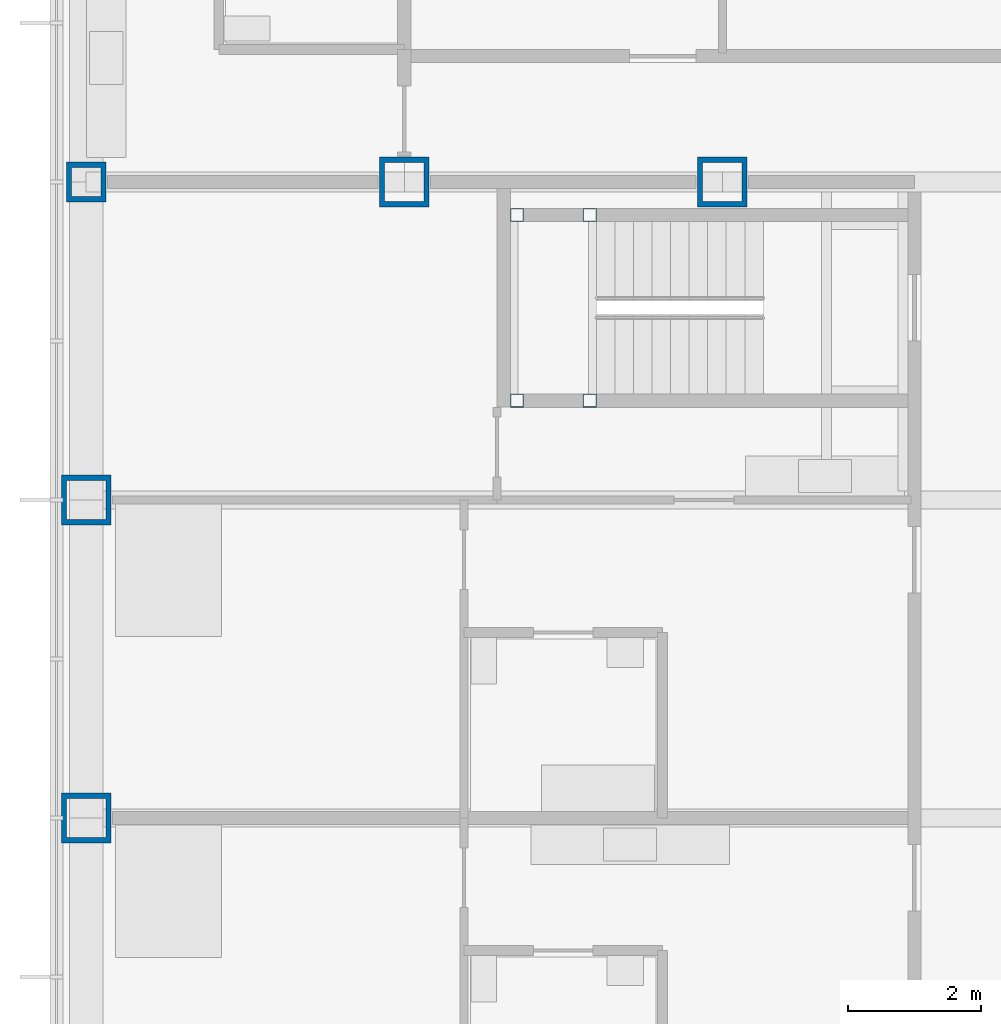
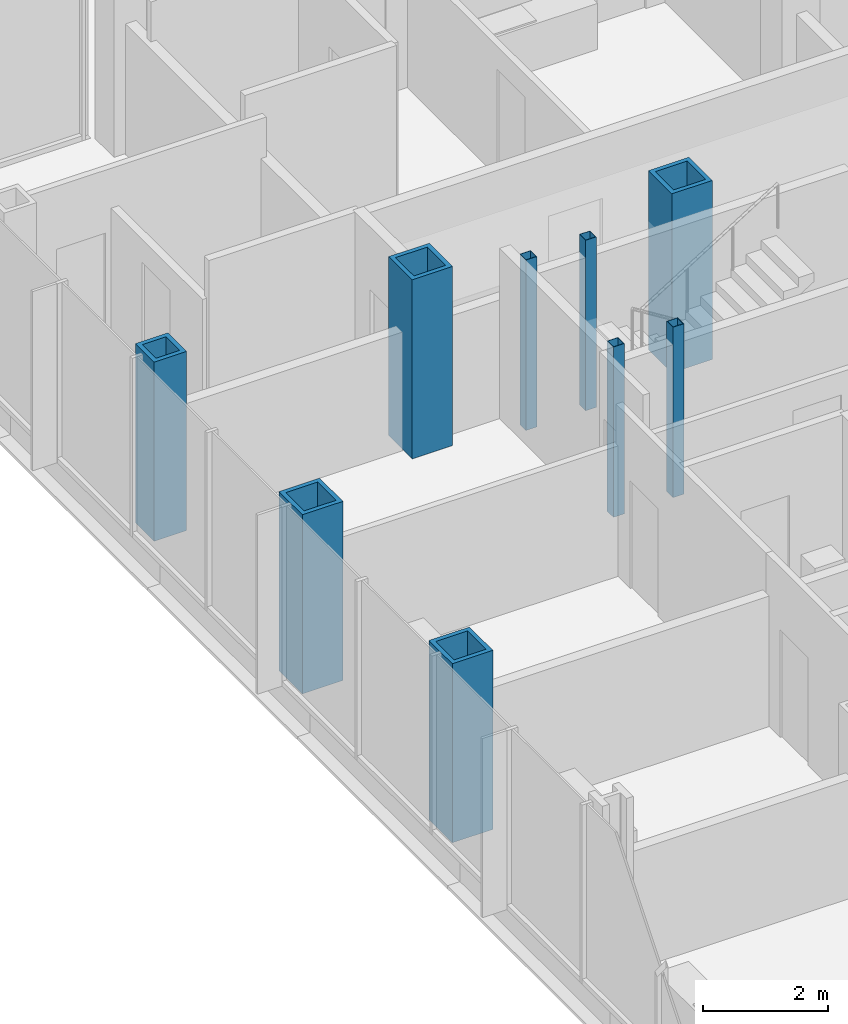
# One storey, part 3 of 21: 9 columns.
"""IFC4 building model written with IfcOpenShell, lengths in metres."""

from ifc_helpers import new_model, si_unit, direction, frame, origin, origin_2d, place, context, subcontext, project, spatial, hollow_rectangle, extrude, material, material_profile, profile_set, type_object, element, save


model = new_model("IFC4")

# Units and contexts
model_context = context("Model", 3, precision=1e-05, world=origin(), true_north=direction((0.0, 1.0)))
body_context = subcontext(model_context, "Body", "Model", "MODEL_VIEW")
ifc_project = project(units=[si_unit("LENGTHUNIT", "METRE"), si_unit("AREAUNIT", "SQUARE_METRE"), si_unit("VOLUMEUNIT", "CUBIC_METRE"), si_unit("PLANEANGLEUNIT", "RADIAN"), si_unit("MASSUNIT", "GRAM", prefix="KILO")], contexts=[model_context])

# Site, building, storey
site_placement = place(None, origin())
site = spatial("IfcSite", under=ifc_project, at=site_placement, CompositionType="ELEMENT")
building_placement = place(site_placement, origin())
building = spatial("IfcBuilding", under=site, at=building_placement, Name="Kvirike Care Tower", CompositionType="ELEMENT")
storey_placement = place(building_placement, frame((0.0, 0.0, 34.0)))
storey = spatial("IfcBuildingStorey", under=building, at=storey_placement, Name="L08", CompositionType="ELEMENT", Elevation=34.0)

# Columns
ifc_material_1 = material(Name="Steel S460", Category="steel")
ifc_material_profile_1 = material_profile(ifc_material_1, hollow_rectangle(XDim=0.60009765625, YDim=0.60009765625, WallThickness=0.080078125, at=origin_2d()), Name="BX 600x600x80")
ifc_profile_set_1 = profile_set([ifc_material_profile_1], Name="Steel S460")
column_type_1 = type_object("IfcColumnType", Name="COLUMN BX 600x600x80", PredefinedType="COLUMN", material=ifc_profile_set_1)
column_placement = place(storey_placement, frame((0.0, 43.199951171875, 0.0), z_axis=(0.0, 0.0, 1.0), x_axis=(0.0, 1.0, 0.0)))
element("IfcColumn", 1, at=column_placement, inside=storey, type_object=column_type_1, Name="Column K3 L08", PredefinedType="COLUMN", context=body_context, shape_type="SweptSolid", body=[
    extrude(hollow_rectangle(XDim=0.60009765625, YDim=0.60009765625, WallThickness=0.080078125, at=origin_2d()), origin(), (0.0, 0.0, 1.0), 3.5),
])
ifc_material_2 = material(Name="Steel S460", Category="steel")
ifc_material_profile_2 = material_profile(ifc_material_2, hollow_rectangle(XDim=0.75, YDim=0.75, WallThickness=0.080078125, at=origin_2d()), Name="BX 750x750x80")
ifc_profile_set_2 = profile_set([ifc_material_profile_2], Name="Steel S460")
column_type_2 = type_object("IfcColumnType", Name="COLUMN BX 750x750x80", PredefinedType="COLUMN", material=ifc_profile_set_2)
for number, where, z_axis, x_axis, name in (
    (2, (0.0, 33.60009765625, 0.0), (0.0, 0.0, 1.0), (1.0, 0.0, 0.0), "Column H3 L08"),
    (3, (0.0, 38.39990234375, 0.0), (0.0, 0.0, 1.0), (1.0, 0.0, 0.0), "Column J3 L08"),
    (4, (4.800048828125, 43.199951171875, 0.0), (0.0, 0.0, 1.0), (0.0, 1.0, 0.0), "Column K4 L08"),
    (5, (9.60009765625, 43.199951171875, 0.0), (0.0, 0.0, 1.0), (0.0, 1.0, 0.0), "Column K5 L08"),
):
    element("IfcColumn", number, at=place(storey_placement, frame(where, z_axis=z_axis, x_axis=x_axis)), inside=storey, type_object=column_type_2, Name=name, PredefinedType="COLUMN", context=body_context, shape_type="SweptSolid", body=[
        extrude(hollow_rectangle(XDim=0.75, YDim=0.75, WallThickness=0.080078125, at=origin_2d()), origin(), (0.0, 0.0, 1.0), 3.5),
    ])
ifc_material_3 = material(Name="Steel S460", Category="steel")
ifc_material_profile_3 = material_profile(ifc_material_3, hollow_rectangle(XDim=0.199951171875, YDim=0.199951171875, WallThickness=0.008056640625, at=origin_2d()), Name="SHS 200x200x8")
ifc_profile_set_3 = profile_set([ifc_material_profile_3], Name="Steel S460")
column_type_3 = type_object("IfcColumnType", Name="STAIR POST SHS 200x200x8", PredefinedType="COLUMN", material=ifc_profile_set_3)
for number, where, z_axis, x_axis, name in (
    (6, (6.5, 42.699951171875, 0.0), (0.0, 0.0, 1.0), (1.0, 0.0, 0.0), "Stair 1 post 1 L08"),
    (7, (6.5, 39.89990234375, 0.0), (0.0, 0.0, 1.0), (1.0, 0.0, 0.0), "Stair 1 post 2 L08"),
    (8, (7.60009765625, 42.699951171875, 0.0), (0.0, 0.0, 1.0), (1.0, 0.0, 0.0), "Stair 1 post 3 L08"),
    (9, (7.60009765625, 39.89990234375, 0.0), (0.0, 0.0, 1.0), (1.0, 0.0, 0.0), "Stair 1 post 4 L08"),
):
    element("IfcColumn", number, at=place(storey_placement, frame(where, z_axis=z_axis, x_axis=x_axis)), inside=storey, type_object=column_type_3, Name=name, PredefinedType="COLUMN", context=body_context, shape_type="SweptSolid", body=[
        extrude(hollow_rectangle(XDim=0.199951171875, YDim=0.199951171875, WallThickness=0.008056640625, at=origin_2d()), origin(), (0.0, 0.0, 1.0), 3.330078125),
    ])

save(model, "model.ifc")
